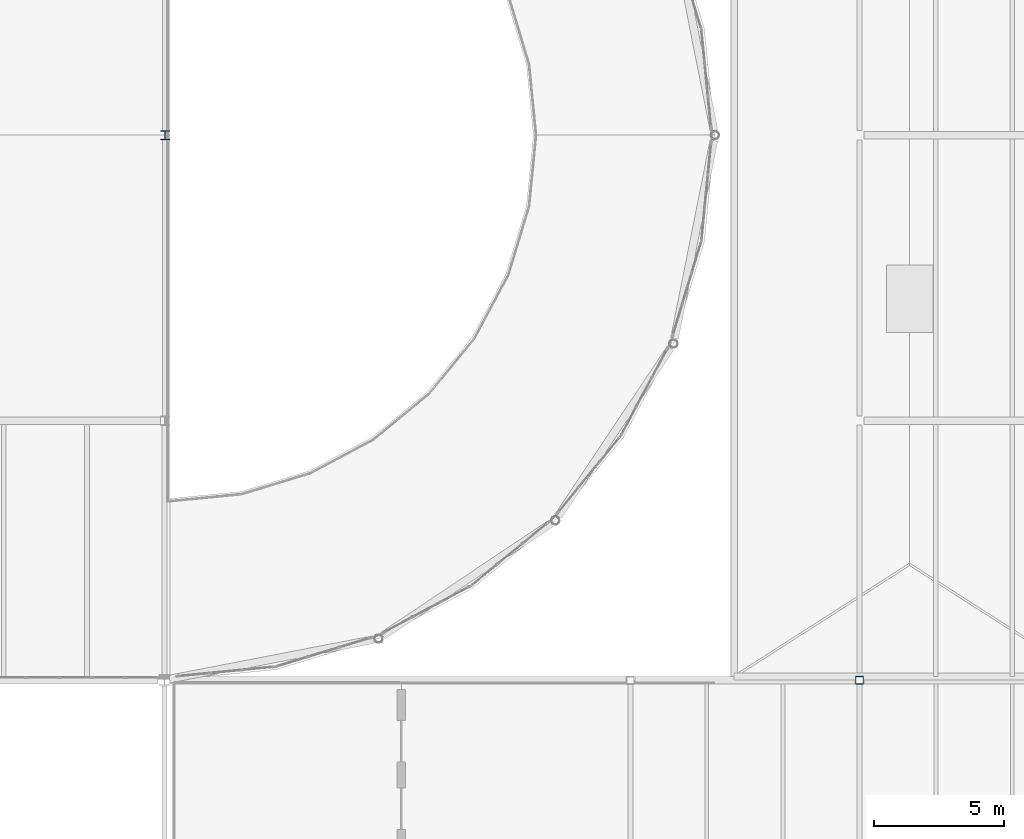
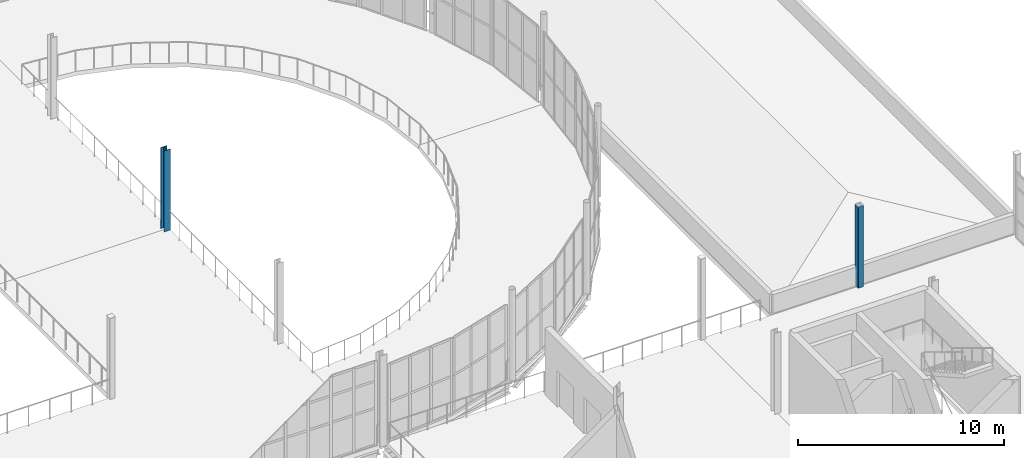
# One storey, part 15 of 112: 2 columns.
"""IFC4 building model written with IfcOpenShell, lengths in metres."""

from ifc_helpers import new_model, si_unit, direction, frame, origin, origin_2d, place, context, subcontext, project, spatial, hollow_rectangle, i_section, extrude, material, material_profile, profile_set, type_object, element, save


model = new_model("IFC4")

# Units and contexts
model_context = context("Model", 3, precision=1e-05, world=origin(), true_north=direction((0.0, 1.0)))
body_context = subcontext(model_context, "Body", "Model", "MODEL_VIEW")
ifc_project = project(units=[si_unit("LENGTHUNIT", "METRE"), si_unit("AREAUNIT", "SQUARE_METRE"), si_unit("VOLUMEUNIT", "CUBIC_METRE"), si_unit("PLANEANGLEUNIT", "RADIAN"), si_unit("MASSUNIT", "GRAM", prefix="KILO")], contexts=[model_context])

# Site, building, storey
site_placement = place(None, origin())
site = spatial("IfcSite", under=ifc_project, at=site_placement, CompositionType="ELEMENT")
building_placement = place(site_placement, origin())
building = spatial("IfcBuilding", under=site, at=building_placement, Name="Yeouljin Market Hall", CompositionType="ELEMENT")
storey_placement = place(building_placement, frame((0.0, 0.0, 6.0)))
storey = spatial("IfcBuildingStorey", under=building, at=storey_placement, Name="L01", CompositionType="ELEMENT", Elevation=6.0)

# Columns
ifc_material_1 = material(Name="Steel SM355", Category="steel")
ifc_material_profile_1 = material_profile(ifc_material_1, i_section(OverallWidth=0.35009765625, OverallDepth=0.35009765625, WebThickness=0.011962890625, FlangeThickness=0.01904296875, FilletRadius=0.02001953125, at=origin_2d()), Name="H-350x350x12x19")
ifc_profile_set_1 = profile_set([ifc_material_profile_1], Name="Steel SM355")
column_type_1 = type_object("IfcColumnType", Name="Col_H-350x350x12x19", PredefinedType="COLUMN", material=ifc_profile_set_1)
column_1_placement = place(storey_placement, frame((140.81005859375, 57.0, 0.0), z_axis=(0.0, 0.0, 1.0), x_axis=(1.0, 0.0, 0.0)))
element("IfcColumn", 1, at=column_1_placement, inside=storey, type_object=column_type_1, Name="Column G-16-06 (L01)", PredefinedType="COLUMN", context=body_context, shape_type="SweptSolid", body=[
    extrude(i_section(OverallWidth=0.35009765625, OverallDepth=0.35009765625, WebThickness=0.011962890625, FlangeThickness=0.01904296875, FilletRadius=0.02001953125, at=origin_2d()), origin(), (0.0, 0.0, 1.0), 4.800048828125),
])
ifc_material_2 = material(Name="Steel SM355", Category="steel")
ifc_material_profile_2 = material_profile(ifc_material_2, hollow_rectangle(XDim=0.300048828125, YDim=0.300048828125, WallThickness=0.010009765625, InnerFilletRadius=0.010009765625, OuterFilletRadius=0.01611328125, at=origin_2d()), Name="SHS-300x300x10")
ifc_profile_set_2 = profile_set([ifc_material_profile_2], Name="Steel SM355")
column_type_2 = type_object("IfcColumnType", Name="Col_SHS-300x300x10", PredefinedType="COLUMN", material=ifc_profile_set_2)
column_2_placement = place(storey_placement, frame((167.570068359375, 36.0, 0.0), z_axis=(0.0, 0.0, 1.0), x_axis=(1.0, 0.0, 0.0)))
element("IfcColumn", 2, at=column_2_placement, inside=storey, type_object=column_type_2, Name="Column G-20-04 (L01)", PredefinedType="COLUMN", context=body_context, shape_type="SweptSolid", body=[
    extrude(hollow_rectangle(XDim=0.300048828125, YDim=0.300048828125, WallThickness=0.010009765625, InnerFilletRadius=0.010009765625, OuterFilletRadius=0.01611328125, at=origin_2d()), origin(), (0.0, 0.0, 1.0), 4.800048828125),
])

save(model, "model.ifc")
